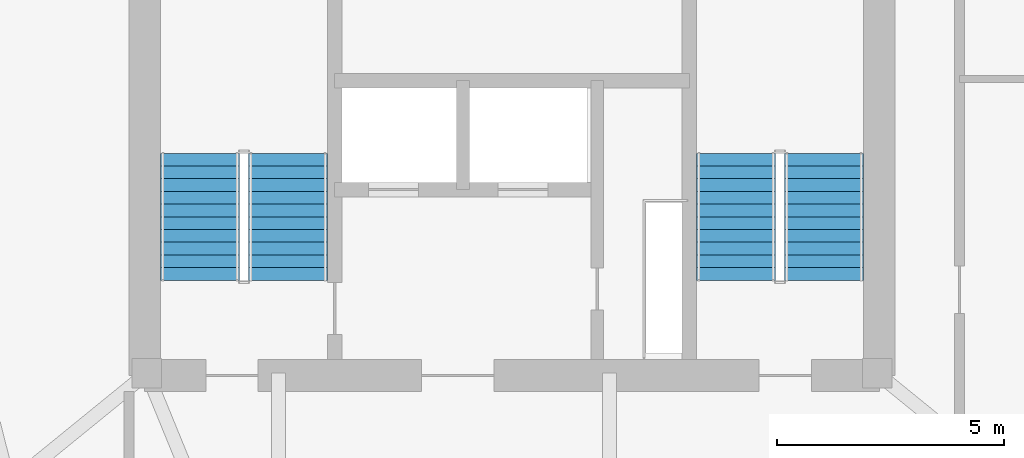
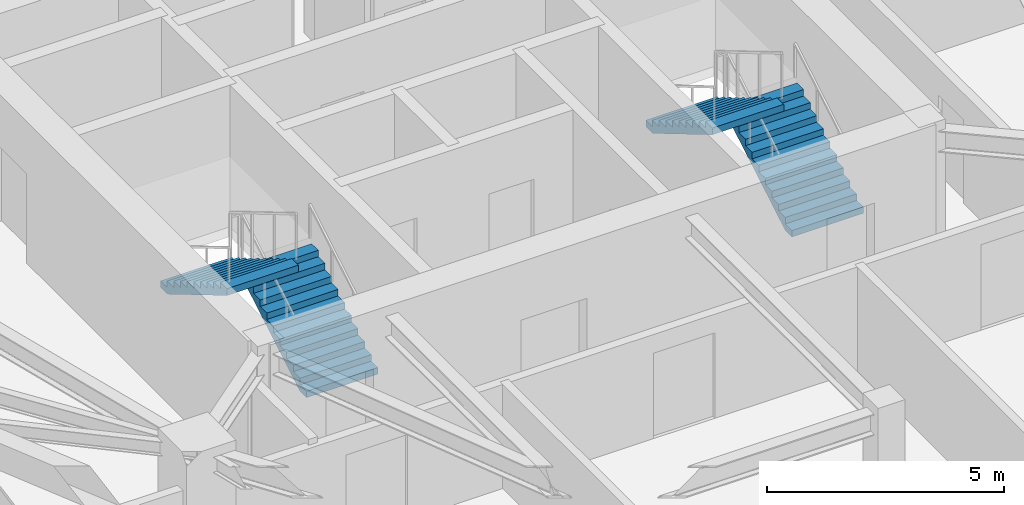
# One storey, part 10 of 11: 4 stair flights, 2 elements without a shape of their own.
"""IFC4 building model written with IfcOpenShell, lengths in metres."""

from ifc_helpers import new_model, si_unit, direction, frame, origin, place, context, subcontext, project, spatial, polyline, outline, extrude, material, type_object, element, aggregate, save


model = new_model("IFC4")

# Units and contexts
model_context = context("Model", 3, precision=1e-05, world=origin(), true_north=direction((0.0, 1.0)))
body_context = subcontext(model_context, "Body", "Model", "MODEL_VIEW")
ifc_project = project(units=[si_unit("LENGTHUNIT", "METRE"), si_unit("AREAUNIT", "SQUARE_METRE"), si_unit("VOLUMEUNIT", "CUBIC_METRE"), si_unit("PLANEANGLEUNIT", "RADIAN"), si_unit("MASSUNIT", "GRAM", prefix="KILO")], contexts=[model_context])

# Site, building, storey
site_placement = place(None, origin())
site = spatial("IfcSite", under=ifc_project, at=site_placement, CompositionType="ELEMENT")
building_placement = place(site_placement, origin())
building = spatial("IfcBuilding", under=site, at=building_placement, Name="Talyreon Biosciences Tower", CompositionType="ELEMENT")
storey_placement = place(building_placement, frame((0.0, 0.0, 249.85009765625)))
storey = spatial("IfcBuildingStorey", under=building, at=storey_placement, Name="L66", CompositionType="ELEMENT", Elevation=249.85009765625)

# Stair, stair flights
ifc_material = material(Name="Concrete C40/50", Category="concrete")
stair_type = type_object("IfcStairType", Name="DoglegEscapeStair_3650", PredefinedType="HALF_TURN_STAIR", material=ifc_material)
stair_1_placement = place(storey_placement, origin())
stair_1 = element("IfcStair", 1, at=stair_1_placement, inside=storey, type_object=stair_type, Name="L66 Core Escape Stair 1", PredefinedType="HALF_TURN_STAIR")
stair_flight_type = type_object("IfcStairFlightType", Name="PrecastStairFlight_3650", PredefinedType="STRAIGHT", material=ifc_material)
stair_flight_1_placement = place(storey_placement, frame((61.06005859375, 63.39990234375, 0.0), z_axis=(0.0, 0.0, 1.0), x_axis=(0.0, 1.0, 0.0)))
stair_flight_1 = element("IfcStairFlight", 2, at=stair_flight_1_placement, type_object=stair_flight_type, Name="ST-1 flight 1", NumberOfRisers=11, NumberOfTreads=10, PredefinedType="STRAIGHT", RiserHeight=0.165909091, TreadLength=0.28, context=body_context, shape_type="SweptSolid", body=[
    extrude(outline(polyline([(0.0, 0.0), (0.0, 0.166015625), (0.280029296875, 0.166015625), (0.280029296875, 0.331787109375), (0.56005859375, 0.331787109375), (0.56005859375, 0.497802734375), (0.840087890625, 0.497802734375), (0.840087890625, 0.66357421875), (1.1201171875, 0.66357421875), (1.1201171875, 0.82958984375), (1.39990234375, 0.82958984375), (1.39990234375, 0.995361328125), (1.679931640625, 0.995361328125), (1.679931640625, 1.161376953125), (1.9599609375, 1.161376953125), (1.9599609375, 1.327392578125), (2.239990234375, 1.327392578125), (2.239990234375, 1.4931640625), (2.52001953125, 1.4931640625), (2.52001953125, 1.6591796875), (2.800048828125, 1.6591796875), (2.800048828125, 1.824951171875), (2.800048828125, 1.48486328125), (0.2939453125, 0.0), (0.0, 0.0)])), frame((0.0, 0.8701171875, 0.0), z_axis=(0.0, -1.0, 0.0), x_axis=(1.0, 0.0, 0.0)), (0.0, 0.0, 1.0), 1.739990234375),
])
stair_flight_2_placement = place(storey_placement, frame((59.1201171875, 66.199951171875, 1.824951171875), z_axis=(0.0, 0.0, 1.0), x_axis=(0.0, -1.0, 0.0)))
stair_flight_2 = element("IfcStairFlight", 3, at=stair_flight_2_placement, type_object=stair_flight_type, Name="ST-1 flight 2", NumberOfRisers=11, NumberOfTreads=10, PredefinedType="STRAIGHT", RiserHeight=0.165909091, TreadLength=0.28, context=body_context, shape_type="SweptSolid", body=[
    extrude(outline(polyline([(0.0, 0.0), (0.0, 0.166015625), (0.280029296875, 0.166015625), (0.280029296875, 0.331787109375), (0.56005859375, 0.331787109375), (0.56005859375, 0.497802734375), (0.840087890625, 0.497802734375), (0.840087890625, 0.66357421875), (1.1201171875, 0.66357421875), (1.1201171875, 0.82958984375), (1.39990234375, 0.82958984375), (1.39990234375, 0.995361328125), (1.679931640625, 0.995361328125), (1.679931640625, 1.161376953125), (1.9599609375, 1.161376953125), (1.9599609375, 1.327392578125), (2.239990234375, 1.327392578125), (2.239990234375, 1.4931640625), (2.52001953125, 1.4931640625), (2.52001953125, 1.6591796875), (2.800048828125, 1.6591796875), (2.800048828125, 1.824951171875), (2.800048828125, 1.48486328125), (0.2939453125, 0.0), (0.0, 0.0)])), frame((0.0, 0.8701171875, 0.0), z_axis=(0.0, -1.0, 0.0), x_axis=(1.0, 0.0, 0.0)), (0.0, 0.0, 1.0), 1.739990234375),
])
aggregate(stair_1, [stair_flight_1, stair_flight_2])

stair_2_placement = place(storey_placement, origin())
stair_2 = element("IfcStair", 4, at=stair_2_placement, inside=storey, type_object=stair_type, Name="L66 Core Escape Stair 2", PredefinedType="HALF_TURN_STAIR")
stair_flight_3_placement = place(storey_placement, frame((72.8798828125, 63.39990234375, 0.0), z_axis=(0.0, 0.0, 1.0), x_axis=(0.0, 1.0, 0.0)))
stair_flight_3 = element("IfcStairFlight", 5, at=stair_flight_3_placement, type_object=stair_flight_type, Name="ST-2 flight 1", NumberOfRisers=11, NumberOfTreads=10, PredefinedType="STRAIGHT", RiserHeight=0.165909091, TreadLength=0.28, context=body_context, shape_type="SweptSolid", body=[
    extrude(outline(polyline([(0.0, 0.0), (0.0, 0.166015625), (0.280029296875, 0.166015625), (0.280029296875, 0.331787109375), (0.56005859375, 0.331787109375), (0.56005859375, 0.497802734375), (0.840087890625, 0.497802734375), (0.840087890625, 0.66357421875), (1.1201171875, 0.66357421875), (1.1201171875, 0.82958984375), (1.39990234375, 0.82958984375), (1.39990234375, 0.995361328125), (1.679931640625, 0.995361328125), (1.679931640625, 1.161376953125), (1.9599609375, 1.161376953125), (1.9599609375, 1.327392578125), (2.239990234375, 1.327392578125), (2.239990234375, 1.4931640625), (2.52001953125, 1.4931640625), (2.52001953125, 1.6591796875), (2.800048828125, 1.6591796875), (2.800048828125, 1.824951171875), (2.800048828125, 1.48486328125), (0.2939453125, 0.0), (0.0, 0.0)])), frame((0.0, 0.8701171875, 0.0), z_axis=(0.0, -1.0, 0.0), x_axis=(1.0, 0.0, 0.0)), (0.0, 0.0, 1.0), 1.739990234375),
])
stair_flight_4_placement = place(storey_placement, frame((70.93994140625, 66.199951171875, 1.824951171875), z_axis=(0.0, 0.0, 1.0), x_axis=(0.0, -1.0, 0.0)))
stair_flight_4 = element("IfcStairFlight", 6, at=stair_flight_4_placement, type_object=stair_flight_type, Name="ST-2 flight 2", NumberOfRisers=11, NumberOfTreads=10, PredefinedType="STRAIGHT", RiserHeight=0.165909091, TreadLength=0.28, context=body_context, shape_type="SweptSolid", body=[
    extrude(outline(polyline([(0.0, 0.0), (0.0, 0.166015625), (0.280029296875, 0.166015625), (0.280029296875, 0.331787109375), (0.56005859375, 0.331787109375), (0.56005859375, 0.497802734375), (0.840087890625, 0.497802734375), (0.840087890625, 0.66357421875), (1.1201171875, 0.66357421875), (1.1201171875, 0.82958984375), (1.39990234375, 0.82958984375), (1.39990234375, 0.995361328125), (1.679931640625, 0.995361328125), (1.679931640625, 1.161376953125), (1.9599609375, 1.161376953125), (1.9599609375, 1.327392578125), (2.239990234375, 1.327392578125), (2.239990234375, 1.4931640625), (2.52001953125, 1.4931640625), (2.52001953125, 1.6591796875), (2.800048828125, 1.6591796875), (2.800048828125, 1.824951171875), (2.800048828125, 1.48486328125), (0.2939453125, 0.0), (0.0, 0.0)])), frame((0.0, 0.8701171875, 0.0), z_axis=(0.0, -1.0, 0.0), x_axis=(1.0, 0.0, 0.0)), (0.0, 0.0, 1.0), 1.739990234375),
])
aggregate(stair_2, [stair_flight_3, stair_flight_4])

save(model, "model.ifc")
